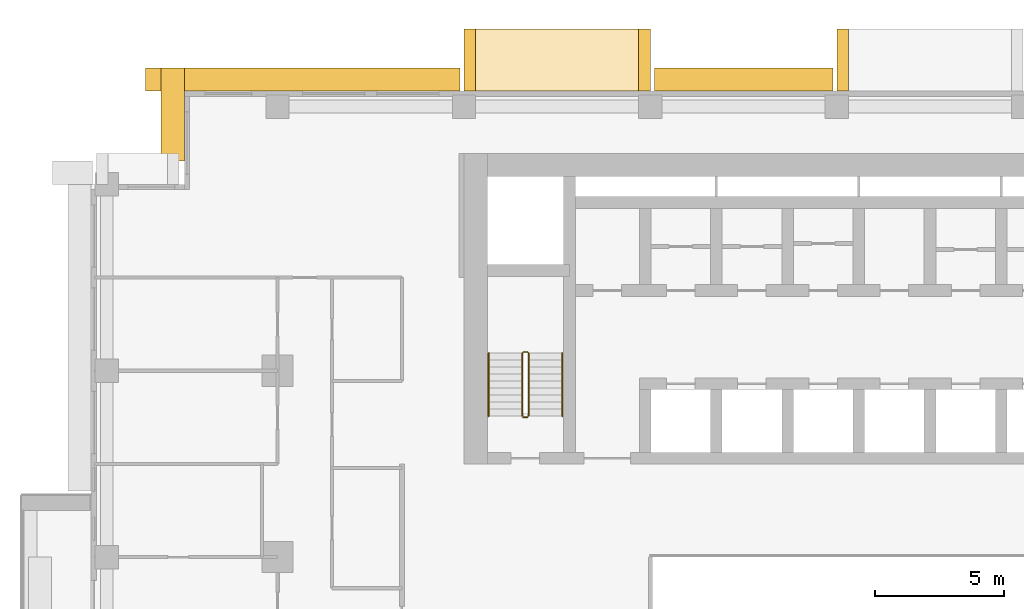
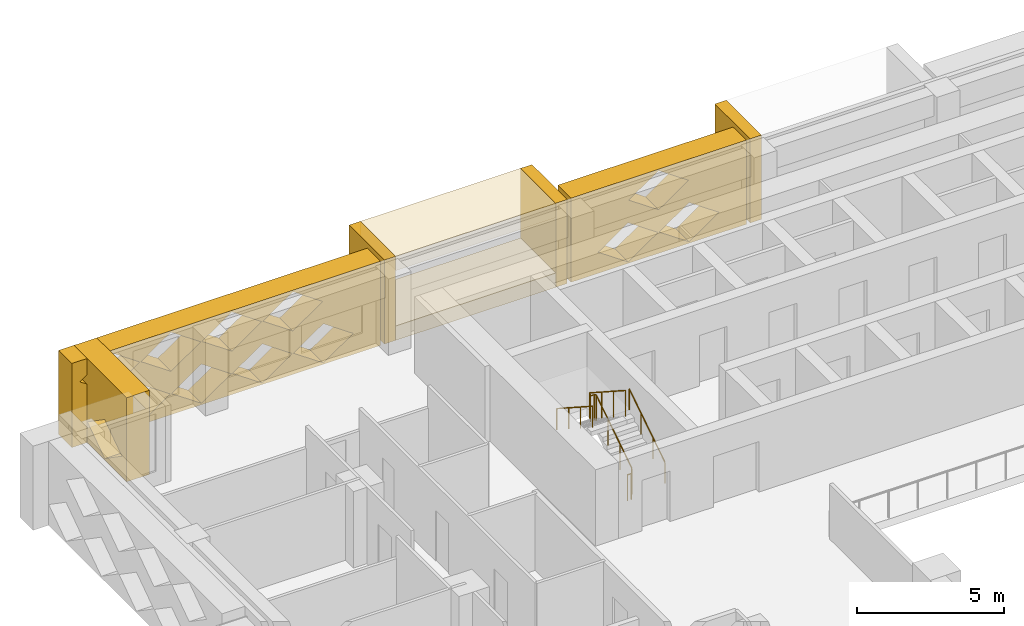
# One storey, part 15 of 17: 8 coverings, 4 railings.
"""IFC4 building model written with IfcOpenShell, lengths in metres."""

from ifc_helpers import new_model, si_unit, direction, frame, origin, origin_2d, place, context, subcontext, project, spatial, polyline, circle, outline, extrude, material, type_object, element, save


model = new_model("IFC4")

# Units and contexts
model_context = context("Model", 3, precision=1e-05, world=origin(), true_north=direction((0.0, 1.0)))
body_context = subcontext(model_context, "Body", "Model", "MODEL_VIEW")
ifc_project = project(units=[si_unit("LENGTHUNIT", "METRE"), si_unit("AREAUNIT", "SQUARE_METRE"), si_unit("VOLUMEUNIT", "CUBIC_METRE"), si_unit("PLANEANGLEUNIT", "RADIAN"), si_unit("MASSUNIT", "GRAM", prefix="KILO")], contexts=[model_context])

# Site, building, storey
site_placement = place(None, origin())
site = spatial("IfcSite", under=ifc_project, at=site_placement, CompositionType="ELEMENT")
building_placement = place(site_placement, origin())
building = spatial("IfcBuilding", under=site, at=building_placement, Name="Saffron Iwan Residences", CompositionType="ELEMENT")
storey_placement = place(building_placement, frame((0.0, 0.0, 93.5)))
storey = spatial("IfcBuildingStorey", under=building, at=storey_placement, Name="L24", CompositionType="ELEMENT", Elevation=93.5)

# Coverings
ifc_material_1 = material(Name="Precast concrete C40/50", Category="concrete")
covering_type_1 = type_object("IfcCoveringType", Name="OUTER SKIN LATTICE SCREEN", PredefinedType="CLADDING", material=ifc_material_1)
covering_1_placement = place(storey_placement, frame((43.050048828125, 80.39990234375, -0.320068359375), z_axis=(0.0, 1.0, 0.0), x_axis=(-1.0, 0.0, 0.0)))
element("IfcCovering", 1, at=covering_1_placement, inside=storey, type_object=covering_type_1, Name="OUTER SKIN lattice screen L24 F5.3", PredefinedType="CLADDING", context=body_context, shape_type="SweptSolid", body=[
    extrude(outline(polyline([(0.0, 0.0), (6.89990234375, 0.0), (6.89990234375, 3.5), (0.0, 3.5), (0.0, 0.0)]), holes=[polyline([(1.070068359375, 0.875), (2.25, 0.06005859375), (3.429931640625, 0.875), (2.25, 1.68994140625), (1.070068359375, 0.875)]), polyline([(3.469970703125, 0.875), (4.64990234375, 0.06005859375), (5.830078125, 0.875), (4.64990234375, 1.68994140625), (3.469970703125, 0.875)]), polyline([(2.27001953125, 2.625), (3.449951171875, 1.81005859375), (4.6298828125, 2.625), (3.449951171875, 3.43994140625), (2.27001953125, 2.625)])]), origin(), (0.0, 0.0, 1.0), 0.900146484375),
])
covering_2_placement = place(storey_placement, frame((28.64990234375, 80.39990234375, -0.320068359375), z_axis=(0.0, 1.0, 0.0), x_axis=(-1.0, 0.0, 0.0)))
element("IfcCovering", 2, at=covering_2_placement, inside=storey, type_object=covering_type_1, Name="OUTER SKIN lattice screen L24 F5.4", PredefinedType="CLADDING", context=body_context, shape_type="SweptSolid", body=[
    extrude(outline(polyline([(0.0, 0.0), (12.14990234375, 0.0), (12.14990234375, 3.5), (0.0, 3.5), (0.0, 0.0)]), holes=[polyline([(1.070068359375, 0.875), (2.25, 0.06005859375), (3.429931640625, 0.875), (2.25, 1.68994140625), (1.070068359375, 0.875)]), polyline([(3.469970703125, 0.875), (4.64990234375, 0.06005859375), (5.830078125, 0.875), (4.64990234375, 1.68994140625), (3.469970703125, 0.875)]), polyline([(5.8701171875, 0.875), (7.050048828125, 0.06005859375), (8.22998046875, 0.875), (7.050048828125, 1.68994140625), (5.8701171875, 0.875)]), polyline([(8.27001953125, 0.875), (9.449951171875, 0.06005859375), (10.6298828125, 0.875), (9.449951171875, 1.68994140625), (8.27001953125, 0.875)]), polyline([(2.27001953125, 2.625), (3.449951171875, 1.81005859375), (4.6298828125, 2.625), (3.449951171875, 3.43994140625), (2.27001953125, 2.625)]), polyline([(4.669921875, 2.625), (5.85009765625, 1.81005859375), (7.030029296875, 2.625), (5.85009765625, 3.43994140625), (4.669921875, 2.625)]), polyline([(7.070068359375, 2.625), (8.25, 1.81005859375), (9.429931640625, 2.625), (8.25, 3.43994140625), (7.070068359375, 2.625)]), polyline([(9.469970703125, 2.625), (10.64990234375, 1.81005859375), (11.830078125, 2.625), (10.64990234375, 3.43994140625), (9.469970703125, 2.625)])]), origin(), (0.0, 0.0, 1.0), 0.900146484375),
])
covering_3_placement = place(storey_placement, frame((18.0, 81.300048828125, -0.320068359375), z_axis=(-1.0, 0.0, 0.0), x_axis=(0.0, -1.0, 0.0)))
element("IfcCovering", 3, at=covering_3_placement, inside=storey, type_object=covering_type_1, Name="OUTER SKIN lattice screen L24 F6.0", PredefinedType="CLADDING", context=body_context, shape_type="SweptSolid", body=[
    extrude(outline(polyline([(0.0, 0.0), (3.60009765625, 0.0), (3.60009765625, 3.5), (0.0, 3.5), (0.0, 0.0)]), holes=[polyline([(0.919921875, 0.875), (2.10009765625, 0.06005859375), (3.280029296875, 0.875), (2.10009765625, 1.68994140625), (0.919921875, 0.875)])]), origin(), (0.0, 0.0, 1.0), 0.89990234375),
])

# Railings
ifc_material_2 = material(Name="Steel S355", Category="steel")
railing_type_1 = type_object("IfcRailingType", Name="Stair guard 1100", PredefinedType="GUARDRAIL", material=ifc_material_2)
railing_1_placement = place(storey_placement, frame((31.300048828125, 67.85009765625, 0.175048828125)))
element("IfcRailing", 4, at=railing_1_placement, inside=storey, type_object=railing_type_1, Name="L24 ST-W stair guard 1", PredefinedType="GUARDRAIL", context=body_context, shape_type="SweptSolid", body=[
    extrude(circle(Radius=0.02392578125, at=origin_2d()), frame((0.0, 0.0, 1.076171875), z_axis=(0.0, 0.839153699163, 0.543894354798), x_axis=(-1.0, 0.0, 0.0)), (0.0, 0.0, 1.0), 2.895751953125),
    extrude(circle(Radius=0.02392578125, at=origin_2d()), frame((0.0, 2.429931640625, 2.65087890625), z_axis=(-0.707106781187, 0.707106781187, 0.0), x_axis=(-0.707106781187, -0.707106781187, 0.0)), (0.0, 0.0, 1.0), 0.07080078125),
    extrude(circle(Radius=0.02392578125, at=origin_2d()), frame((-0.050048828125, 2.47998046875, 2.65087890625), z_axis=(-1.0, 0.0, 0.0), x_axis=(0.0, -1.0, 0.0)), (0.0, 0.0, 1.0), 0.14990234375),
    extrude(circle(Radius=0.02392578125, at=origin_2d()), frame((-0.199951171875, 2.47998046875, 2.65087890625), z_axis=(-0.265065253269, -0.265065253269, 0.927081885822), x_axis=(0.707106781187, -0.707106781187, 0.0)), (0.0, 0.0, 1.0), 0.188720703125),
    extrude(circle(Radius=0.02392578125, at=origin_2d()), frame((-0.25, 2.429931640625, 2.826171875), z_axis=(0.0, -0.839153699163, 0.543894354798), x_axis=(1.0, 0.0, 0.0)), (0.0, 0.0, 1.0), 2.895751953125),
    extrude(circle(Radius=0.02099609375, at=origin_2d()), origin(), (0.0, 0.0, 1.0), 1.052001953125),
    extrude(circle(Radius=0.02099609375, at=origin_2d()), frame((0.0, 0.81005859375, 0.52490234375)), (0.0, 0.0, 1.0), 1.052001953125),
    extrude(circle(Radius=0.02099609375, at=origin_2d()), frame((0.0, 1.619873046875, 1.050048828125)), (0.0, 0.0, 1.0), 1.052001953125),
    extrude(circle(Radius=0.02099609375, at=origin_2d()), frame((0.0, 2.429931640625, 1.574951171875)), (0.0, 0.0, 1.0), 1.052001953125),
    extrude(circle(Radius=0.02099609375, at=origin_2d()), frame((-0.050048828125, 2.47998046875, 1.574951171875)), (0.0, 0.0, 1.0), 1.052001953125),
    extrude(circle(Radius=0.02099609375, at=origin_2d()), frame((-0.199951171875, 2.47998046875, 1.574951171875)), (0.0, 0.0, 1.0), 1.052001953125),
    extrude(circle(Radius=0.02099609375, at=origin_2d()), frame((-0.25, 2.429931640625, 1.75)), (0.0, 0.0, 1.0), 1.052001953125),
    extrude(circle(Radius=0.02099609375, at=origin_2d()), frame((-0.25, 1.619873046875, 2.27490234375)), (0.0, 0.0, 1.0), 1.052001953125),
    extrude(circle(Radius=0.02099609375, at=origin_2d()), frame((-0.25, 0.81005859375, 2.800048828125)), (0.0, 0.0, 1.0), 1.052001953125),
    extrude(circle(Radius=0.02099609375, at=origin_2d()), frame((-0.25, 0.0, 3.324951171875)), (0.0, 0.0, 1.0), 1.052001953125),
])
railing_2_placement = place(storey_placement, frame((31.25, 67.800048828125, 0.0)))
element("IfcRailing", 5, at=railing_2_placement, inside=storey, type_object=railing_type_1, Name="L24 ST-W stair guard 2", PredefinedType="GUARDRAIL", context=body_context, shape_type="SweptSolid", body=[
    extrude(circle(Radius=0.02392578125, at=origin_2d()), frame((0.0, 0.0, 1.076171875), z_axis=(-1.0, 0.0, 0.0), x_axis=(0.0, -1.0, 0.0)), (0.0, 0.0, 1.0), 0.14990234375),
    extrude(circle(Radius=0.02099609375, at=origin_2d()), origin(), (0.0, 0.0, 1.0), 1.052001953125),
    extrude(circle(Radius=0.02099609375, at=origin_2d()), frame((-0.14990234375, 0.0, 0.0)), (0.0, 0.0, 1.0), 1.052001953125),
])
ifc_material_3 = material(Name="Stainless steel 316", Category="steel")
railing_type_2 = type_object("IfcRailingType", Name="Stair handrail 900", PredefinedType="HANDRAIL", material=ifc_material_3)
railing_3_placement = place(storey_placement, frame((32.60009765625, 67.85009765625, 0.175048828125)))
element("IfcRailing", 6, at=railing_3_placement, inside=storey, type_object=railing_type_2, Name="L24 ST-W stair handrail 1", PredefinedType="HANDRAIL", context=body_context, shape_type="SweptSolid", body=[
    extrude(circle(Radius=0.02392578125, at=origin_2d()), frame((0.0, 0.0, 0.8759765625), z_axis=(0.0, 0.839153699163, 0.543894354798), x_axis=(-1.0, 0.0, 0.0)), (0.0, 0.0, 1.0), 2.895751953125),
    extrude(circle(Radius=0.02099609375, at=origin_2d()), origin(), (0.0, 0.0, 1.0), 0.851806640625),
    extrude(circle(Radius=0.02099609375, at=origin_2d()), frame((0.0, 0.81005859375, 0.52490234375)), (0.0, 0.0, 1.0), 0.851806640625),
    extrude(circle(Radius=0.02099609375, at=origin_2d()), frame((0.0, 1.619873046875, 1.050048828125)), (0.0, 0.0, 1.0), 0.851806640625),
    extrude(circle(Radius=0.02099609375, at=origin_2d()), frame((0.0, 2.429931640625, 1.574951171875)), (0.0, 0.0, 1.0), 0.851806640625),
])
railing_4_placement = place(storey_placement, frame((29.75, 70.280029296875, 1.925048828125)))
element("IfcRailing", 7, at=railing_4_placement, inside=storey, type_object=railing_type_2, Name="L24 ST-W stair handrail 2", PredefinedType="HANDRAIL", context=body_context, shape_type="SweptSolid", body=[
    extrude(circle(Radius=0.02392578125, at=origin_2d()), frame((0.0, 0.0, 0.8759765625), z_axis=(0.0, -0.839153699163, 0.543894354798), x_axis=(1.0, 0.0, 0.0)), (0.0, 0.0, 1.0), 2.895751953125),
    extrude(circle(Radius=0.02099609375, at=origin_2d()), origin(), (0.0, 0.0, 1.0), 0.851806640625),
    extrude(circle(Radius=0.02099609375, at=origin_2d()), frame((0.0, -0.81005859375, 0.52490234375)), (0.0, 0.0, 1.0), 0.851806640625),
    extrude(circle(Radius=0.02099609375, at=origin_2d()), frame((0.0, -1.619873046875, 1.050048828125)), (0.0, 0.0, 1.0), 0.851806640625),
    extrude(circle(Radius=0.02099609375, at=origin_2d()), frame((0.0, -2.429931640625, 1.574951171875)), (0.0, 0.0, 1.0), 0.851806640625),
])

# Coverings
ifc_material_4 = material(Name="Precast concrete C40/50 white painted", Category="concrete")
covering_type_2 = type_object("IfcCoveringType", Name="WHITE SUN FRAME PRECAST", PredefinedType="CLADDING", material=ifc_material_4)
for number, where, z_axis, x_axis, name in (
    (8, (43.64990234375, 80.39990234375, -0.320068359375), (0.0, 1.0, 0.0), (-1.0, 0.0, 0.0), "Sun frame L24 F5 32.4b"),
    (9, (36.0, 80.39990234375, -0.320068359375), (0.0, 1.0, 0.0), (-1.0, 0.0, 0.0), "Sun frame L24 F5 46.8a"),
    (10, (29.25, 80.39990234375, -0.320068359375), (0.0, 1.0, 0.0), (-1.0, 0.0, 0.0), "Sun frame L24 F5 46.8b"),
):
    element("IfcCovering", number, at=place(storey_placement, frame(where, z_axis=z_axis, x_axis=x_axis)), inside=storey, type_object=covering_type_2, Name=name, PredefinedType="CLADDING", context=body_context, shape_type="SweptSolid", body=[
        extrude(outline(polyline([(0.0, 0.0), (0.449951171875, 0.0), (0.449951171875, 3.5), (0.0, 3.5), (0.0, 0.0)])), origin(), (0.0, 0.0, 1.0), 2.400146484375),
    ])
for number, where, z_axis, x_axis, name in (
    (11, (35.550048828125, 80.39990234375, 2.580078125), (0.0, 1.0, 0.0), (-1.0, 0.0, 0.0), "Sun frame L24 F5 46.8h"),
    (12, (35.550048828125, 80.39990234375, -0.320068359375), (0.0, 1.0, 0.0), (-1.0, 0.0, 0.0), "Sun frame L24 F5 46.8s"),
):
    element("IfcCovering", number, at=place(storey_placement, frame(where, z_axis=z_axis, x_axis=x_axis)), inside=storey, type_object=covering_type_2, Name=name, PredefinedType="CLADDING", context=body_context, shape_type="SweptSolid", body=[
        extrude(outline(polyline([(0.0, 0.0), (6.300048828125, 0.0), (6.300048828125, 0.60009765625), (0.0, 0.60009765625), (0.0, 0.0)])), origin(), (0.0, 0.0, 1.0), 2.400146484375),
    ])

save(model, "model.ifc")
